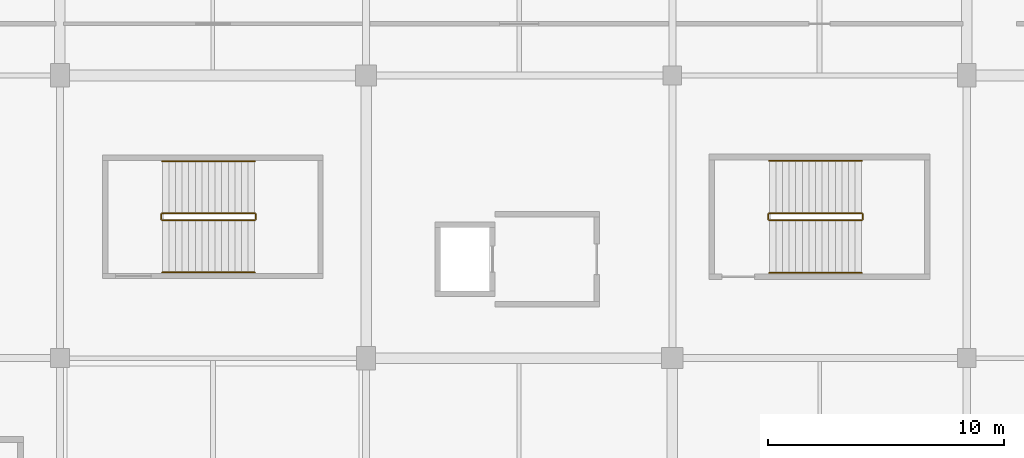
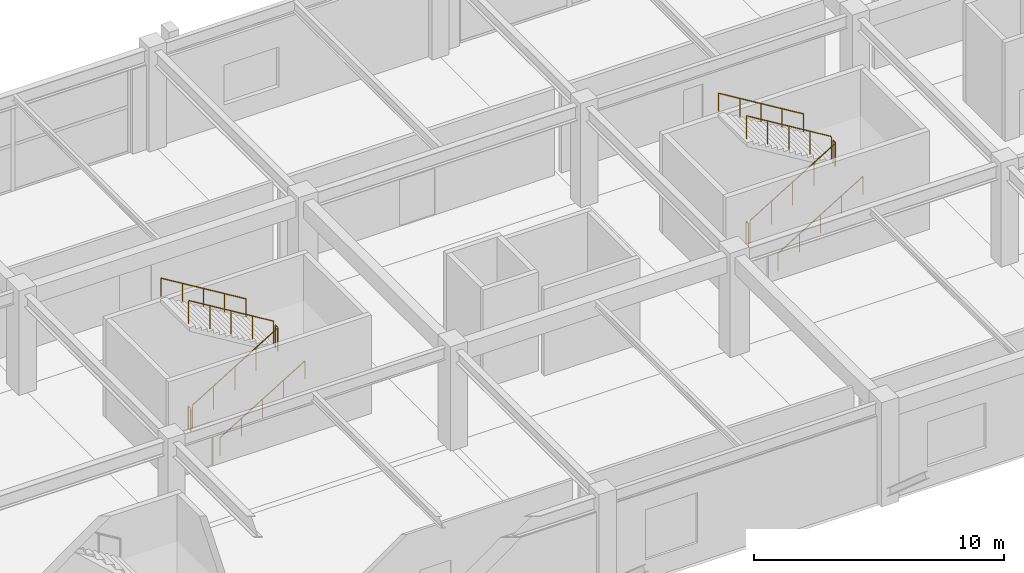
# One storey, part 114 of 116: 12 railings.
"""IFC4 building model written with IfcOpenShell, lengths in metres."""

from ifc_helpers import new_model, si_unit, direction, frame, origin, origin_2d, place, context, subcontext, project, spatial, circle, extrude, material, layer, layer_set, type_object, element, save


model = new_model("IFC4")

# Units and contexts
model_context = context("Model", 3, precision=1e-05, world=origin(), true_north=direction((0.0, 1.0)))
body_context = subcontext(model_context, "Body", "Model", "MODEL_VIEW")
ifc_project = project(units=[si_unit("LENGTHUNIT", "METRE"), si_unit("AREAUNIT", "SQUARE_METRE"), si_unit("VOLUMEUNIT", "CUBIC_METRE"), si_unit("PLANEANGLEUNIT", "RADIAN"), si_unit("MASSUNIT", "GRAM", prefix="KILO")], contexts=[model_context])

# Site, building, storey
site_placement = place(None, origin())
site = spatial("IfcSite", under=ifc_project, at=site_placement, CompositionType="ELEMENT")
building_placement = place(site_placement, origin())
building = spatial("IfcBuilding", under=site, at=building_placement, Name="Kazenohara Klinker Stadium", CompositionType="ELEMENT")
storey_placement = place(building_placement, frame((0.0, 0.0, 10.199951171875)))
storey = spatial("IfcBuildingStorey", under=building, at=storey_placement, Name="L02", CompositionType="ELEMENT", Elevation=10.199951171875)

# Railings
ifc_material_1 = material(Name="Brushed stainless steel 304 handrail", Category="steel")
ifc_layer_1 = layer(ifc_material_1, 0.050048828125)
ifc_layer_set_1 = layer_set([ifc_layer_1], Name="Brushed stainless steel 304 handrail")
railing_type_1 = type_object("IfcRailingType", Name="RL-HND-900", PredefinedType="HANDRAIL", material=ifc_layer_set_1)
railing_1_placement = place(storey_placement, frame((103.35009765625, 147.639892578125, 0.170166015625)))
element("IfcRailing", 1, at=railing_1_placement, inside=storey, type_object=railing_type_1, Name="L02 ST10 stair handrail 1", PredefinedType="HANDRAIL", context=body_context, shape_type="SweptSolid", body=[
    extrude(circle(Radius=0.02392578125, at=origin_2d()), frame((0.0, 0.0, 0.8759765625), z_axis=(0.854794262968, 0.0, 0.518967020143), x_axis=(0.0, 1.0, 0.0)), (0.0, 0.0, 1.0), 4.585693359375),
    extrude(circle(Radius=0.02099609375, at=origin_2d()), origin(), (0.0, 0.0, 1.0), 0.851806640625),
    extrude(circle(Radius=0.02099609375, at=origin_2d()), frame((0.97998046875, 0.0, 0.594970703125)), (0.0, 0.0, 1.0), 0.851806640625),
    extrude(circle(Radius=0.02099609375, at=origin_2d()), frame((1.9599609375, 0.0, 1.18994140625)), (0.0, 0.0, 1.0), 0.851806640625),
    extrude(circle(Radius=0.02099609375, at=origin_2d()), frame((2.93994140625, 0.0, 1.784912109375)), (0.0, 0.0, 1.0), 0.851806640625),
    extrude(circle(Radius=0.02099609375, at=origin_2d()), frame((3.919921875, 0.0, 2.3798828125)), (0.0, 0.0, 1.0), 0.851806640625),
])
railing_2_placement = place(storey_placement, frame((107.27001953125, 152.360107421875, 2.719970703125)))
element("IfcRailing", 2, at=railing_2_placement, inside=storey, type_object=railing_type_1, Name="L02 ST10 stair handrail 2", PredefinedType="HANDRAIL", context=body_context, shape_type="SweptSolid", body=[
    extrude(circle(Radius=0.02392578125, at=origin_2d()), frame((0.0, 0.0, 0.8759765625), z_axis=(-0.854770645689, 0.0, 0.519005918337), x_axis=(0.0, -1.0, 0.0)), (0.0, 0.0, 1.0), 4.5859375),
    extrude(circle(Radius=0.02099609375, at=origin_2d()), origin(), (0.0, 0.0, 1.0), 0.851806640625),
    extrude(circle(Radius=0.02099609375, at=origin_2d()), frame((-0.97998046875, 0.0, 0.594970703125)), (0.0, 0.0, 1.0), 0.851806640625),
    extrude(circle(Radius=0.02099609375, at=origin_2d()), frame((-1.9599609375, 0.0, 1.18994140625)), (0.0, 0.0, 1.0), 0.851806640625),
    extrude(circle(Radius=0.02099609375, at=origin_2d()), frame((-2.93994140625, 0.0, 1.78515625)), (0.0, 0.0, 1.0), 0.851806640625),
    extrude(circle(Radius=0.02099609375, at=origin_2d()), frame((-3.919921875, 0.0, 2.380126953125)), (0.0, 0.0, 1.0), 0.851806640625),
])
railing_3_placement = place(storey_placement, frame((129.1201171875, 147.6201171875, 0.170166015625)))
element("IfcRailing", 3, at=railing_3_placement, inside=storey, type_object=railing_type_1, Name="L02 ST11 stair handrail 1", PredefinedType="HANDRAIL", context=body_context, shape_type="SweptSolid", body=[
    extrude(circle(Radius=0.02392578125, at=origin_2d()), frame((0.0, 0.0, 0.8759765625), z_axis=(0.854794262968, 0.0, 0.518967020143), x_axis=(0.0, 1.0, 0.0)), (0.0, 0.0, 1.0), 4.585693359375),
    extrude(circle(Radius=0.02099609375, at=origin_2d()), origin(), (0.0, 0.0, 1.0), 0.851806640625),
    extrude(circle(Radius=0.02099609375, at=origin_2d()), frame((0.97998046875, 0.0, 0.594970703125)), (0.0, 0.0, 1.0), 0.851806640625),
    extrude(circle(Radius=0.02099609375, at=origin_2d()), frame((1.9599609375, 0.0, 1.18994140625)), (0.0, 0.0, 1.0), 0.851806640625),
    extrude(circle(Radius=0.02099609375, at=origin_2d()), frame((2.93994140625, 0.0, 1.784912109375)), (0.0, 0.0, 1.0), 0.851806640625),
    extrude(circle(Radius=0.02099609375, at=origin_2d()), frame((3.919921875, 0.0, 2.3798828125)), (0.0, 0.0, 1.0), 0.851806640625),
])
railing_4_placement = place(storey_placement, frame((133.0400390625, 152.3798828125, 2.719970703125)))
element("IfcRailing", 4, at=railing_4_placement, inside=storey, type_object=railing_type_1, Name="L02 ST11 stair handrail 2", PredefinedType="HANDRAIL", context=body_context, shape_type="SweptSolid", body=[
    extrude(circle(Radius=0.02392578125, at=origin_2d()), frame((0.0, 0.0, 0.8759765625), z_axis=(-0.854770645689, 0.0, 0.519005918337), x_axis=(0.0, -1.0, 0.0)), (0.0, 0.0, 1.0), 4.5859375),
    extrude(circle(Radius=0.02099609375, at=origin_2d()), origin(), (0.0, 0.0, 1.0), 0.851806640625),
    extrude(circle(Radius=0.02099609375, at=origin_2d()), frame((-0.97998046875, 0.0, 0.594970703125)), (0.0, 0.0, 1.0), 0.851806640625),
    extrude(circle(Radius=0.02099609375, at=origin_2d()), frame((-1.9599609375, 0.0, 1.18994140625)), (0.0, 0.0, 1.0), 0.851806640625),
    extrude(circle(Radius=0.02099609375, at=origin_2d()), frame((-2.93994140625, 0.0, 1.78515625)), (0.0, 0.0, 1.0), 0.851806640625),
    extrude(circle(Radius=0.02099609375, at=origin_2d()), frame((-3.919921875, 0.0, 2.380126953125)), (0.0, 0.0, 1.0), 0.851806640625),
])
ifc_material_2 = material(Name="Painted steel stairwell guardrail", Category="steel")
ifc_layer_2 = layer(ifc_material_2, 0.06005859375)
ifc_layer_set_2 = layer_set([ifc_layer_2], Name="Painted steel stairwell guardrail")
railing_type_2 = type_object("IfcRailingType", Name="RL-STG-1120", PredefinedType="GUARDRAIL", material=ifc_layer_set_2)
railing_5_placement = place(storey_placement, frame((103.35009765625, 149.85009765625, 0.170166015625)))
element("IfcRailing", 5, at=railing_5_placement, inside=storey, type_object=railing_type_2, Name="L02 ST10 stair guard 1", PredefinedType="GUARDRAIL", context=body_context, shape_type="SweptSolid", body=[
    extrude(circle(Radius=0.02392578125, at=origin_2d()), frame((0.0, 0.0, 1.1259765625), z_axis=(0.854794262968, 0.0, 0.518967020143), x_axis=(0.0, 1.0, 0.0)), (0.0, 0.0, 1.0), 4.585693359375),
    extrude(circle(Radius=0.02099609375, at=origin_2d()), origin(), (0.0, 0.0, 1.0), 1.101806640625),
    extrude(circle(Radius=0.02099609375, at=origin_2d()), frame((0.97998046875, 0.0, 0.594970703125)), (0.0, 0.0, 1.0), 1.101806640625),
    extrude(circle(Radius=0.02099609375, at=origin_2d()), frame((1.9599609375, 0.0, 1.18994140625)), (0.0, 0.0, 1.0), 1.101806640625),
    extrude(circle(Radius=0.02099609375, at=origin_2d()), frame((2.93994140625, 0.0, 1.784912109375)), (0.0, 0.0, 1.0), 1.101806640625),
    extrude(circle(Radius=0.02099609375, at=origin_2d()), frame((3.919921875, 0.0, 2.3798828125)), (0.0, 0.0, 1.0), 1.101806640625),
])
railing_6_placement = place(storey_placement, frame((107.320068359375, 149.89990234375, 2.550048828125)))
element("IfcRailing", 6, at=railing_6_placement, inside=storey, type_object=railing_type_2, Name="L02 ST10 stair guard 2", PredefinedType="GUARDRAIL", context=body_context, shape_type="SweptSolid", body=[
    extrude(circle(Radius=0.02392578125, at=origin_2d()), frame((0.0, 0.0, 1.1259765625), z_axis=(0.0, 1.0, 0.0), x_axis=(-1.0, 0.0, 0.0)), (0.0, 0.0, 1.0), 0.2001953125),
    extrude(circle(Radius=0.02099609375, at=origin_2d()), origin(), (0.0, 0.0, 1.0), 1.101806640625),
    extrude(circle(Radius=0.02099609375, at=origin_2d()), frame((0.0, 0.2001953125, 0.0)), (0.0, 0.0, 1.0), 1.101806640625),
])
railing_7_placement = place(storey_placement, frame((107.27001953125, 150.14990234375, 2.719970703125)))
element("IfcRailing", 7, at=railing_7_placement, inside=storey, type_object=railing_type_2, Name="L02 ST10 stair guard 3", PredefinedType="GUARDRAIL", context=body_context, shape_type="SweptSolid", body=[
    extrude(circle(Radius=0.02392578125, at=origin_2d()), frame((0.0, 0.0, 1.1259765625), z_axis=(-0.854770645689, 0.0, 0.519005918337), x_axis=(0.0, -1.0, 0.0)), (0.0, 0.0, 1.0), 4.5859375),
    extrude(circle(Radius=0.02099609375, at=origin_2d()), origin(), (0.0, 0.0, 1.0), 1.101806640625),
    extrude(circle(Radius=0.02099609375, at=origin_2d()), frame((-0.97998046875, 0.0, 0.594970703125)), (0.0, 0.0, 1.0), 1.101806640625),
    extrude(circle(Radius=0.02099609375, at=origin_2d()), frame((-1.9599609375, 0.0, 1.18994140625)), (0.0, 0.0, 1.0), 1.101806640625),
    extrude(circle(Radius=0.02099609375, at=origin_2d()), frame((-2.93994140625, 0.0, 1.78515625)), (0.0, 0.0, 1.0), 1.101806640625),
    extrude(circle(Radius=0.02099609375, at=origin_2d()), frame((-3.919921875, 0.0, 2.380126953125)), (0.0, 0.0, 1.0), 1.101806640625),
])
railing_8_placement = place(storey_placement, frame((103.300048828125, 149.89990234375, 0.0)))
element("IfcRailing", 8, at=railing_8_placement, inside=storey, type_object=railing_type_2, Name="L02 ST10 stair guard 4", PredefinedType="GUARDRAIL", context=body_context, shape_type="SweptSolid", body=[
    extrude(circle(Radius=0.02392578125, at=origin_2d()), frame((0.0, 0.0, 1.1259765625), z_axis=(0.0, 1.0, 0.0), x_axis=(-1.0, 0.0, 0.0)), (0.0, 0.0, 1.0), 0.2001953125),
    extrude(circle(Radius=0.02099609375, at=origin_2d()), origin(), (0.0, 0.0, 1.0), 1.101806640625),
    extrude(circle(Radius=0.02099609375, at=origin_2d()), frame((0.0, 0.2001953125, 0.0)), (0.0, 0.0, 1.0), 1.101806640625),
])
railing_9_placement = place(storey_placement, frame((129.1201171875, 149.85009765625, 0.170166015625)))
element("IfcRailing", 9, at=railing_9_placement, inside=storey, type_object=railing_type_2, Name="L02 ST11 stair guard 1", PredefinedType="GUARDRAIL", context=body_context, shape_type="SweptSolid", body=[
    extrude(circle(Radius=0.02392578125, at=origin_2d()), frame((0.0, 0.0, 1.1259765625), z_axis=(0.854794262968, 0.0, 0.518967020143), x_axis=(0.0, 1.0, 0.0)), (0.0, 0.0, 1.0), 4.585693359375),
    extrude(circle(Radius=0.02099609375, at=origin_2d()), origin(), (0.0, 0.0, 1.0), 1.101806640625),
    extrude(circle(Radius=0.02099609375, at=origin_2d()), frame((0.97998046875, 0.0, 0.594970703125)), (0.0, 0.0, 1.0), 1.101806640625),
    extrude(circle(Radius=0.02099609375, at=origin_2d()), frame((1.9599609375, 0.0, 1.18994140625)), (0.0, 0.0, 1.0), 1.101806640625),
    extrude(circle(Radius=0.02099609375, at=origin_2d()), frame((2.93994140625, 0.0, 1.784912109375)), (0.0, 0.0, 1.0), 1.101806640625),
    extrude(circle(Radius=0.02099609375, at=origin_2d()), frame((3.919921875, 0.0, 2.3798828125)), (0.0, 0.0, 1.0), 1.101806640625),
])
railing_10_placement = place(storey_placement, frame((133.090087890625, 149.89990234375, 2.550048828125)))
element("IfcRailing", 10, at=railing_10_placement, inside=storey, type_object=railing_type_2, Name="L02 ST11 stair guard 2", PredefinedType="GUARDRAIL", context=body_context, shape_type="SweptSolid", body=[
    extrude(circle(Radius=0.02392578125, at=origin_2d()), frame((0.0, 0.0, 1.1259765625), z_axis=(0.0, 1.0, 0.0), x_axis=(-1.0, 0.0, 0.0)), (0.0, 0.0, 1.0), 0.2001953125),
    extrude(circle(Radius=0.02099609375, at=origin_2d()), origin(), (0.0, 0.0, 1.0), 1.101806640625),
    extrude(circle(Radius=0.02099609375, at=origin_2d()), frame((0.0, 0.2001953125, 0.0)), (0.0, 0.0, 1.0), 1.101806640625),
])
railing_11_placement = place(storey_placement, frame((133.0400390625, 150.14990234375, 2.719970703125)))
element("IfcRailing", 11, at=railing_11_placement, inside=storey, type_object=railing_type_2, Name="L02 ST11 stair guard 3", PredefinedType="GUARDRAIL", context=body_context, shape_type="SweptSolid", body=[
    extrude(circle(Radius=0.02392578125, at=origin_2d()), frame((0.0, 0.0, 1.1259765625), z_axis=(-0.854770645689, 0.0, 0.519005918337), x_axis=(0.0, -1.0, 0.0)), (0.0, 0.0, 1.0), 4.5859375),
    extrude(circle(Radius=0.02099609375, at=origin_2d()), origin(), (0.0, 0.0, 1.0), 1.101806640625),
    extrude(circle(Radius=0.02099609375, at=origin_2d()), frame((-0.97998046875, 0.0, 0.594970703125)), (0.0, 0.0, 1.0), 1.101806640625),
    extrude(circle(Radius=0.02099609375, at=origin_2d()), frame((-1.9599609375, 0.0, 1.18994140625)), (0.0, 0.0, 1.0), 1.101806640625),
    extrude(circle(Radius=0.02099609375, at=origin_2d()), frame((-2.93994140625, 0.0, 1.78515625)), (0.0, 0.0, 1.0), 1.101806640625),
    extrude(circle(Radius=0.02099609375, at=origin_2d()), frame((-3.919921875, 0.0, 2.380126953125)), (0.0, 0.0, 1.0), 1.101806640625),
])
railing_12_placement = place(storey_placement, frame((129.070068359375, 149.89990234375, 0.0)))
element("IfcRailing", 12, at=railing_12_placement, inside=storey, type_object=railing_type_2, Name="L02 ST11 stair guard 4", PredefinedType="GUARDRAIL", context=body_context, shape_type="SweptSolid", body=[
    extrude(circle(Radius=0.02392578125, at=origin_2d()), frame((0.0, 0.0, 1.1259765625), z_axis=(0.0, 1.0, 0.0), x_axis=(-1.0, 0.0, 0.0)), (0.0, 0.0, 1.0), 0.2001953125),
    extrude(circle(Radius=0.02099609375, at=origin_2d()), origin(), (0.0, 0.0, 1.0), 1.101806640625),
    extrude(circle(Radius=0.02099609375, at=origin_2d()), frame((0.0, 0.2001953125, 0.0)), (0.0, 0.0, 1.0), 1.101806640625),
])

save(model, "model.ifc")
